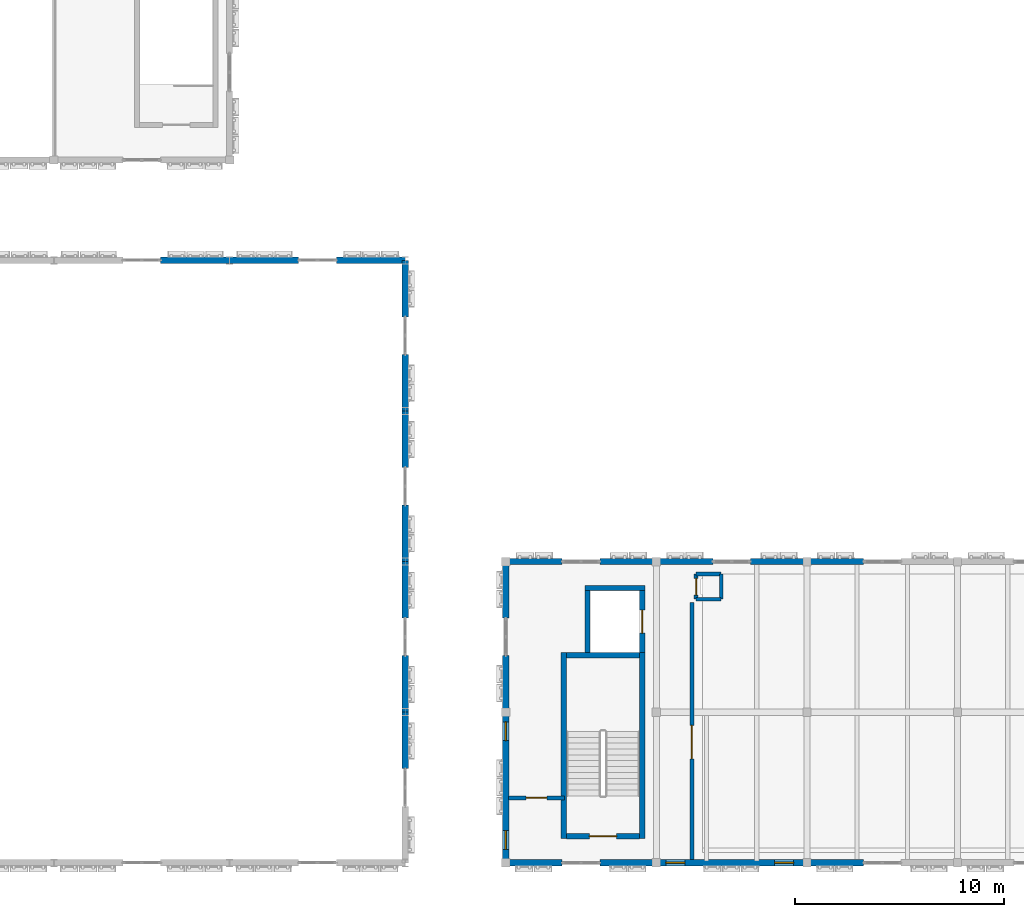
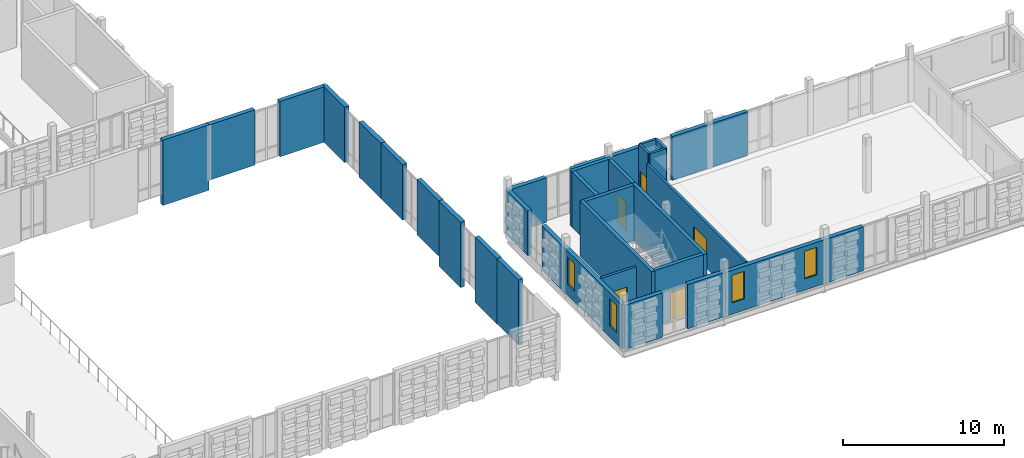
# One storey, part 53 of 81: 35 walls, 5 doors, 4 windows, 9 openings.
"""IFC4 building model written with IfcOpenShell, lengths in metres."""

from ifc_helpers import new_model, si_unit, direction, frame, frame_2d, origin, place, context, subcontext, project, spatial, rectangle, extrude, material, layer, layer_set, type_object, element, fill, save


model = new_model("IFC4")

# Units and contexts
model_context = context("Model", 3, precision=1e-05, world=origin(), true_north=direction((0.0, 1.0)))
body_context = subcontext(model_context, "Body", "Model", "MODEL_VIEW")
ifc_project = project(units=[si_unit("LENGTHUNIT", "METRE"), si_unit("AREAUNIT", "SQUARE_METRE"), si_unit("VOLUMEUNIT", "CUBIC_METRE"), si_unit("PLANEANGLEUNIT", "RADIAN"), si_unit("MASSUNIT", "GRAM", prefix="KILO")], contexts=[model_context])

# Site, building, storey
site_placement = place(None, origin())
site = spatial("IfcSite", under=ifc_project, at=site_placement, CompositionType="ELEMENT")
building_placement = place(site_placement, origin())
building = spatial("IfcBuilding", under=site, at=building_placement, Name="Kahlenmark Community Centre", CompositionType="ELEMENT")
storey_placement = place(building_placement, frame((0.0, 0.0, 9.60009765625)))
storey = spatial("IfcBuildingStorey", under=building, at=storey_placement, Name="L02", CompositionType="ELEMENT", Elevation=9.60009765625)

# Wall, opening, door
ifc_material_1 = material(Name="Concrete C35/45", Category="concrete")
ifc_layer_1 = layer(ifc_material_1, 0.25)
ifc_layer_set_1 = layer_set([ifc_layer_1], Name="Concrete C35/45")
wall_type_1 = type_object("IfcWallType", Name="WT-CORE-250", PredefinedType="SHEAR", material=ifc_layer_set_1)
wall_1_placement = place(storey_placement, frame((53.699951171875, 10.074951171875, 0.0), z_axis=(0.0, 0.0, 1.0), x_axis=(1.0, 0.0, 0.0)))
wall_1 = element("IfcWall", 1, at=wall_1_placement, inside=storey, type_object=wall_type_1, Name="Core K3 shear wall WL-CORE-K3-L02-0085", PredefinedType="SHEAR", context=body_context, shape_type="SweptSolid", body=[
    extrude(rectangle(XDim=3.5, YDim=0.25, at=frame_2d((1.75, 0.0))), origin(), (0.0, 0.0, 1.0), 4.199951171875),
])
opening_1_placement = place(wall_1_placement, frame((1.10009765625, 0.0, -0.010009765625)))
opening_1 = element("IfcOpeningElement", 2, at=opening_1_placement, cuts=wall_1, Name="Opening FD-K3-L02", PredefinedType="OPENING", context=body_context, shape_type="SweptSolid", body=[
    extrude(rectangle(XDim=1.300048828125, YDim=2.159912109375, at=frame_2d((0.64990234375, 1.080078125))), frame((0.0, 0.135009765625, 0.0), z_axis=(0.0, -1.0, 0.0), x_axis=(1.0, 0.0, 0.0)), (0.0, 0.0, 1.0), 0.27001953125),
])
ifc_material_2 = material(Name="Fire-rated steel-framed timber door FD60S", Category="steel")
door_type_1 = type_object("IfcDoorType", Name="DT-FD-K3-L02", OperationType="NOTDEFINED", PredefinedType="DOOR", material=ifc_material_2)
door_1_placement = place(opening_1_placement, frame((0.0, 0.0, 0.010009765625)))
door_1 = element("IfcDoor", 3, at=door_1_placement, inside=storey, type_object=door_type_1, Name="Core K3 stair fire door L02", OperationType="SINGLE_SWING_RIGHT", OverallHeight=2.14990234375, OverallWidth=1.300048828125, PredefinedType="DOOR", context=body_context, shape_type="SweptSolid", body=[
    extrude(rectangle(XDim=1.300048828125, YDim=2.14990234375, at=frame_2d((0.64990234375, 1.074951171875))), frame((0.0, 0.02490234375, 0.0), z_axis=(0.0, -1.0, 0.0), x_axis=(1.0, 0.0, 0.0)), (0.0, 0.0, 1.0), 0.050048828125),
])
fill(opening_1, door_1)

# Walls
wall_2_placement = place(storey_placement, frame((53.574951171875, 9.949951171875, 0.0), z_axis=(0.0, 0.0, 1.0), x_axis=(0.0, 1.0, 0.0)))
element("IfcWall", 4, at=wall_2_placement, inside=storey, type_object=wall_type_1, Name="Core K3 shear wall WL-CORE-K3-L02-0086", PredefinedType="SHEAR", context=body_context, shape_type="SweptSolid", body=[
    extrude(rectangle(XDim=8.900146484375, YDim=0.25, at=frame_2d((4.4501953125, 0.0))), origin(), (0.0, 0.0, 1.0), 4.199951171875),
])
wall_3_placement = place(storey_placement, frame((57.199951171875, 18.72509765625, 0.0), z_axis=(0.0, 0.0, 1.0), x_axis=(-1.0, 0.0, 0.0)))
element("IfcWall", 5, at=wall_3_placement, inside=storey, type_object=wall_type_1, Name="Core K3 shear wall WL-CORE-K3-L02-0087", PredefinedType="SHEAR", context=body_context, shape_type="SweptSolid", body=[
    extrude(rectangle(XDim=3.5, YDim=0.25, at=frame_2d((1.75, 0.0))), origin(), (0.0, 0.0, 1.0), 4.199951171875),
])
wall_4_placement = place(storey_placement, frame((57.324951171875, 9.949951171875, 0.0), z_axis=(0.0, 0.0, 1.0), x_axis=(0.0, 1.0, 0.0)))
element("IfcWall", 6, at=wall_4_placement, inside=storey, type_object=wall_type_1, Name="Core K3 shear wall WL-CORE-K3-L02-0088", PredefinedType="SHEAR", context=body_context, shape_type="SweptSolid", body=[
    extrude(rectangle(XDim=8.900146484375, YDim=0.25, at=frame_2d((4.4501953125, 0.0))), origin(), (0.0, 0.0, 1.0), 4.199951171875),
])
wall_5_placement = place(storey_placement, frame((54.590087890625, 21.93505859375, 0.0), z_axis=(0.0, 0.0, 1.0), x_axis=(1.0, 0.0, 0.0)))
element("IfcWall", 7, at=wall_5_placement, inside=storey, type_object=wall_type_1, Name="Core K3 shear wall WL-CORE-K3-L02-0089", PredefinedType="SHEAR", context=body_context, shape_type="SweptSolid", body=[
    extrude(rectangle(XDim=2.85986328125, YDim=0.25, at=frame_2d((1.429931640625, 0.0))), origin(), (0.0, 0.0, 1.0), 4.199951171875),
])

# Wall, opening, door
wall_6_placement = place(storey_placement, frame((57.324951171875, 18.85009765625, 0.0), z_axis=(0.0, 0.0, 1.0), x_axis=(0.0, 1.0, 0.0)))
wall_6 = element("IfcWall", 8, at=wall_6_placement, inside=storey, type_object=wall_type_1, Name="Core K3 shear wall WL-CORE-K3-L02-0090", PredefinedType="SHEAR", context=body_context, shape_type="SweptSolid", body=[
    extrude(rectangle(XDim=2.9599609375, YDim=0.25, at=frame_2d((1.47998046875, 0.0))), origin(), (0.0, 0.0, 1.0), 4.199951171875),
])
opening_2_placement = place(wall_6_placement, frame((0.929931640625, 0.0, -0.010009765625)))
opening_2 = element("IfcOpeningElement", 9, at=opening_2_placement, cuts=wall_6, Name="Opening LD-3", PredefinedType="OPENING", context=body_context, shape_type="SweptSolid", body=[
    extrude(rectangle(XDim=1.10009765625, YDim=2.159912109375, at=frame_2d((0.550048828125, 1.080078125))), frame((0.0, 0.135009765625, 0.0), z_axis=(0.0, -1.0, 0.0), x_axis=(1.0, 0.0, 0.0)), (0.0, 0.0, 1.0), 0.27001953125),
])
ifc_material_3 = material(Name="Brushed stainless steel sliding lift landing door", Category="steel")
door_type_2 = type_object("IfcDoorType", Name="DT-LD-K3", OperationType="SLIDING_TO_LEFT", PredefinedType="DOOR", material=ifc_material_3)
door_2_placement = place(opening_2_placement, frame((0.0, 0.0, 0.010009765625)))
door_2 = element("IfcDoor", 10, at=door_2_placement, inside=storey, type_object=door_type_2, Name="Lift LF-03 sliding landing door L02", OperationType="SLIDING_TO_LEFT", OverallHeight=2.14990234375, OverallWidth=1.10009765625, PredefinedType="DOOR", context=body_context, shape_type="SweptSolid", body=[
    extrude(rectangle(XDim=1.10009765625, YDim=2.14990234375, at=frame_2d((0.550048828125, 1.074951171875))), frame((0.0, 0.02490234375, 0.0), z_axis=(0.0, -1.0, 0.0), x_axis=(1.0, 0.0, 0.0)), (0.0, 0.0, 1.0), 0.050048828125),
])
fill(opening_2, door_2)

# Walls
wall_7_placement = place(storey_placement, frame((54.715087890625, 18.85009765625, 0.0), z_axis=(0.0, 0.0, 1.0), x_axis=(0.0, 1.0, 0.0)))
element("IfcWall", 11, at=wall_7_placement, inside=storey, type_object=wall_type_1, Name="Core K3 shear wall WL-CORE-K3-L02-0091", PredefinedType="SHEAR", context=body_context, shape_type="SweptSolid", body=[
    extrude(rectangle(XDim=3.2099609375, YDim=0.25, at=frame_2d((1.60498046875, 0.0))), origin(), (0.0, 0.0, 1.0), 4.199951171875),
])
ifc_material_4 = material(Name="Cross-laminated timber CLT C24", Category="wood")
ifc_layer_2 = layer(ifc_material_4, 0.300048828125)
ifc_layer_set_2 = layer_set([ifc_layer_2], Name="Cross-laminated timber CLT C24")
wall_type_2 = type_object("IfcWallType", Name="WT-EW-300", PredefinedType="SOLIDWALL", material=ifc_layer_set_2)
wall_8_placement = place(storey_placement, frame((37.60009765625, 37.60009765625, -0.75), z_axis=(0.0, 0.0, 1.0), x_axis=(-1.0, 0.0, 0.0)))
element("IfcWall", 12, at=wall_8_placement, inside=storey, type_object=wall_type_2, Name="Basketweave backup wall WL-EXT-L02-0426", PredefinedType="SOLIDWALL", context=body_context, shape_type="SweptSolid", body=[
    extrude(rectangle(XDim=3.300048828125, YDim=0.300048828125, at=frame_2d((1.64990234375, 0.0))), origin(), (0.0, 0.0, 1.0), 4.949951171875),
])
wall_9_placement = place(storey_placement, frame((46.0, 37.60009765625, 0.0), z_axis=(0.0, 0.0, 1.0), x_axis=(-1.0, 0.0, 0.0)))
element("IfcWall", 13, at=wall_9_placement, inside=storey, type_object=wall_type_2, Name="Basketweave backup wall WL-EXT-L02-0428", PredefinedType="SOLIDWALL", context=body_context, shape_type="SweptSolid", body=[
    extrude(rectangle(XDim=3.300048828125, YDim=0.300048828125, at=frame_2d((1.64990234375, 0.0))), origin(), (0.0, 0.0, 1.0), 4.199951171875),
])
wall_10_placement = place(storey_placement, frame((40.89990234375, 37.60009765625, 0.0), z_axis=(0.0, 0.0, 1.0), x_axis=(-1.0, 0.0, 0.0)))
element("IfcWall", 14, at=wall_10_placement, inside=storey, type_object=wall_type_2, Name="Basketweave backup wall WL-EXT-L02-0429", PredefinedType="SOLIDWALL", context=body_context, shape_type="SweptSolid", body=[
    extrude(rectangle(XDim=3.2998046875, YDim=0.300048828125, at=frame_2d((1.64990234375, 0.0))), origin(), (0.0, 0.0, 1.0), 4.199951171875),
])
for number, where, z_axis, x_axis, name in (
    (15, (46.0, 13.300048828125, -0.75), (0.0, 0.0, 1.0), (0.0, 1.0, 0.0), "Basketweave backup wall WL-EXT-L02-0435"),
    (16, (46.0, 16.0, -0.75), (0.0, 0.0, 1.0), (0.0, 1.0, 0.0), "Basketweave backup wall WL-EXT-L02-0436"),
    (17, (46.0, 20.5, -0.75), (0.0, 0.0, 1.0), (0.0, 1.0, 0.0), "Basketweave backup wall WL-EXT-L02-0437"),
):
    element("IfcWall", number, at=place(storey_placement, frame(where, z_axis=z_axis, x_axis=x_axis)), inside=storey, type_object=wall_type_2, Name=name, PredefinedType="SOLIDWALL", context=body_context, shape_type="SweptSolid", body=[
        extrude(rectangle(XDim=2.699951171875, YDim=0.300048828125, at=frame_2d((1.35009765625, 0.0))), origin(), (0.0, 0.0, 1.0), 4.949951171875),
    ])
for number, where, z_axis, x_axis, name in (
    (18, (46.0, 23.199951171875, 0.0), (0.0, 0.0, 1.0), (0.0, 1.0, 0.0), "Basketweave backup wall WL-EXT-L02-0438"),
    (19, (46.0, 27.699951171875, 0.0), (0.0, 0.0, 1.0), (0.0, 1.0, 0.0), "Basketweave backup wall WL-EXT-L02-0439"),
):
    element("IfcWall", number, at=place(storey_placement, frame(where, z_axis=z_axis, x_axis=x_axis)), inside=storey, type_object=wall_type_2, Name=name, PredefinedType="SOLIDWALL", context=body_context, shape_type="SweptSolid", body=[
        extrude(rectangle(XDim=2.699951171875, YDim=0.300048828125, at=frame_2d((1.35009765625, 0.0))), origin(), (0.0, 0.0, 1.0), 4.199951171875),
    ])
for number, where, z_axis, x_axis, name in (
    (20, (46.0, 30.39990234375, 0.0), (0.0, 0.0, 1.0), (0.0, 1.0, 0.0), "Basketweave backup wall WL-EXT-L02-0440"),
    (21, (46.0, 34.89990234375, 0.0), (0.0, 0.0, 1.0), (0.0, 1.0, 0.0), "Basketweave backup wall WL-EXT-L02-0441"),
):
    element("IfcWall", number, at=place(storey_placement, frame(where, z_axis=z_axis, x_axis=x_axis)), inside=storey, type_object=wall_type_2, Name=name, PredefinedType="SOLIDWALL", context=body_context, shape_type="SweptSolid", body=[
        extrude(rectangle(XDim=2.7001953125, YDim=0.300048828125, at=frame_2d((1.35009765625, 0.0))), origin(), (0.0, 0.0, 1.0), 4.199951171875),
    ])
for number, where, z_axis, x_axis, name in (
    (22, (50.800048828125, 8.800048828125, 0.0), (0.0, 0.0, 1.0), (1.0, 0.0, 0.0), "Basketweave backup wall WL-EXT-L02-0468"),
    (23, (55.300048828125, 8.800048828125, 0.0), (0.0, 0.0, 1.0), (1.0, 0.0, 0.0), "Basketweave backup wall WL-EXT-L02-0469"),
):
    element("IfcWall", number, at=place(storey_placement, frame(where, z_axis=z_axis, x_axis=x_axis)), inside=storey, type_object=wall_type_2, Name=name, PredefinedType="SOLIDWALL", context=body_context, shape_type="SweptSolid", body=[
        extrude(rectangle(XDim=2.699951171875, YDim=0.300048828125, at=frame_2d((1.35009765625, 0.0))), origin(), (0.0, 0.0, 1.0), 3.369873046875),
    ])

# Wall, openings, windows
wall_11_placement = place(storey_placement, frame((58.0, 8.800048828125, 0.0), z_axis=(0.0, 0.0, 1.0), x_axis=(1.0, 0.0, 0.0)))
wall_11 = element("IfcWall", 24, at=wall_11_placement, inside=storey, type_object=wall_type_2, Name="Exterior wall WL-EXT-L02-0470", PredefinedType="SOLIDWALL", context=body_context, shape_type="SweptSolid", body=[
    extrude(rectangle(XDim=7.199951171875, YDim=0.300048828125, at=frame_2d((3.60009765625, 0.0))), origin(), (0.0, 0.0, 1.0), 3.329833984375),
])
opening_3_placement = place(wall_11_placement, frame((0.4599609375, 0.0, 0.85009765625)))
opening_3 = element("IfcOpeningElement", 25, at=opening_3_placement, cuts=wall_11, Name="Opening W-090X210", PredefinedType="OPENING", context=body_context, shape_type="SweptSolid", body=[
    extrude(rectangle(XDim=0.89990234375, YDim=2.10009765625, at=frame_2d((0.449951171875, 1.050048828125))), frame((0.0, 0.159912109375, 0.0), z_axis=(0.0, -1.0, 0.0), x_axis=(1.0, 0.0, 0.0)), (0.0, 0.0, 1.0), 0.320068359375),
])
opening_4_placement = place(wall_11_placement, frame((5.659912109375, 0.0, 0.85009765625)))
opening_4 = element("IfcOpeningElement", 26, at=opening_4_placement, cuts=wall_11, Name="Opening W-090X210", PredefinedType="OPENING", context=body_context, shape_type="SweptSolid", body=[
    extrude(rectangle(XDim=0.89990234375, YDim=2.10009765625, at=frame_2d((0.449951171875, 1.050048828125))), frame((0.0, 0.159912109375, 0.0), z_axis=(0.0, -1.0, 0.0), x_axis=(1.0, 0.0, 0.0)), (0.0, 0.0, 1.0), 0.320068359375),
])
ifc_material_5 = material(Name="Recessed basketweave aperture triple glazing", Category="glass")
window_type = type_object("IfcWindowType", Name="WNT-090X210", PartitioningType="SINGLE_PANEL", PredefinedType="WINDOW", material=ifc_material_5)
window_1_placement = place(opening_3_placement, origin())
window_1 = element("IfcWindow", 27, at=window_1_placement, inside=storey, type_object=window_type, Name="Window W-090X210 #0275", OverallHeight=2.10009765625, OverallWidth=0.89990234375, PartitioningType="SINGLE_PANEL", PredefinedType="WINDOW", context=body_context, shape_type="SweptSolid", body=[
    extrude(rectangle(XDim=0.89990234375, YDim=2.10009765625, at=frame_2d((0.449951171875, 1.050048828125))), frame((0.0, 0.030029296875, 0.0), z_axis=(0.0, -1.0, 0.0), x_axis=(1.0, 0.0, 0.0)), (0.0, 0.0, 1.0), 0.06005859375),
])
fill(opening_3, window_1)
window_2_placement = place(opening_4_placement, origin())
window_2 = element("IfcWindow", 28, at=window_2_placement, inside=storey, type_object=window_type, Name="Window W-090X210 #0276", OverallHeight=2.10009765625, OverallWidth=0.89990234375, PartitioningType="SINGLE_PANEL", PredefinedType="WINDOW", context=body_context, shape_type="SweptSolid", body=[
    extrude(rectangle(XDim=0.89990234375, YDim=2.10009765625, at=frame_2d((0.449951171875, 1.050048828125))), frame((0.0, 0.030029296875, 0.0), z_axis=(0.0, -1.0, 0.0), x_axis=(1.0, 0.0, 0.0)), (0.0, 0.0, 1.0), 0.06005859375),
])
fill(opening_4, window_2)

# Walls
wall_12_placement = place(storey_placement, frame((65.199951171875, 8.800048828125, 0.0), z_axis=(0.0, 0.0, 1.0), x_axis=(1.0, 0.0, 0.0)))
element("IfcWall", 29, at=wall_12_placement, inside=storey, type_object=wall_type_2, Name="Basketweave backup wall WL-EXT-L02-0471", PredefinedType="SOLIDWALL", context=body_context, shape_type="SweptSolid", body=[
    extrude(rectangle(XDim=2.699951171875, YDim=0.300048828125, at=frame_2d((1.35009765625, 0.0))), origin(), (0.0, 0.0, 1.0), 3.329833984375),
])
for number, where, z_axis, x_axis, name in (
    (30, (58.0, 23.199951171875, 0.0), (0.0, 0.0, 1.0), (-1.0, 0.0, 0.0), "Basketweave backup wall WL-EXT-L02-0476"),
    (31, (53.5, 23.199951171875, 0.0), (0.0, 0.0, 1.0), (-1.0, 0.0, 0.0), "Basketweave backup wall WL-EXT-L02-0477"),
):
    element("IfcWall", number, at=place(storey_placement, frame(where, z_axis=z_axis, x_axis=x_axis)), inside=storey, type_object=wall_type_2, Name=name, PredefinedType="SOLIDWALL", context=body_context, shape_type="SweptSolid", body=[
        extrude(rectangle(XDim=2.699951171875, YDim=0.300048828125, at=frame_2d((1.35009765625, 0.0))), origin(), (0.0, 0.0, 1.0), 3.369873046875),
    ])
for number, where, z_axis, x_axis, name in (
    (32, (65.199951171875, 23.199951171875, 0.0), (0.0, 0.0, 1.0), (-1.0, 0.0, 0.0), "Basketweave backup wall WL-EXT-L02-0478"),
    (33, (60.699951171875, 23.199951171875, 0.0), (0.0, 0.0, 1.0), (-1.0, 0.0, 0.0), "Basketweave backup wall WL-EXT-L02-0479"),
    (34, (67.89990234375, 23.199951171875, 0.0), (0.0, 0.0, 1.0), (-1.0, 0.0, 0.0), "Basketweave backup wall WL-EXT-L02-0481"),
):
    element("IfcWall", number, at=place(storey_placement, frame(where, z_axis=z_axis, x_axis=x_axis)), inside=storey, type_object=wall_type_2, Name=name, PredefinedType="SOLIDWALL", context=body_context, shape_type="SweptSolid", body=[
        extrude(rectangle(XDim=2.699951171875, YDim=0.300048828125, at=frame_2d((1.35009765625, 0.0))), origin(), (0.0, 0.0, 1.0), 3.329833984375),
    ])

# Wall, openings, windows
wall_13_placement = place(storey_placement, frame((50.800048828125, 16.0, 0.0), z_axis=(0.0, 0.0, 1.0), x_axis=(0.0, -1.0, 0.0)))
wall_13 = element("IfcWall", 35, at=wall_13_placement, inside=storey, type_object=wall_type_2, Name="Exterior wall WL-EXT-L02-0485", PredefinedType="SOLIDWALL", context=body_context, shape_type="SweptSolid", body=[
    extrude(rectangle(XDim=7.199951171875, YDim=0.300048828125, at=frame_2d((3.60009765625, 0.0))), origin(), (0.0, 0.0, 1.0), 3.369873046875),
])
opening_5_placement = place(wall_13_placement, frame((0.4599609375, 0.0, 0.85009765625)))
opening_5 = element("IfcOpeningElement", 36, at=opening_5_placement, cuts=wall_13, Name="Opening W-090X210", PredefinedType="OPENING", context=body_context, shape_type="SweptSolid", body=[
    extrude(rectangle(XDim=0.89990234375, YDim=2.10009765625, at=frame_2d((0.449951171875, 1.050048828125))), frame((0.0, 0.159912109375, 0.0), z_axis=(0.0, -1.0, 0.0), x_axis=(1.0, 0.0, 0.0)), (0.0, 0.0, 1.0), 0.320068359375),
])
opening_6_placement = place(wall_13_placement, frame((5.659912109375, 0.0, 0.85009765625)))
opening_6 = element("IfcOpeningElement", 37, at=opening_6_placement, cuts=wall_13, Name="Opening W-090X210", PredefinedType="OPENING", context=body_context, shape_type="SweptSolid", body=[
    extrude(rectangle(XDim=0.89990234375, YDim=2.10009765625, at=frame_2d((0.449951171875, 1.050048828125))), frame((0.0, 0.159912109375, 0.0), z_axis=(0.0, -1.0, 0.0), x_axis=(1.0, 0.0, 0.0)), (0.0, 0.0, 1.0), 0.320068359375),
])
window_3_placement = place(opening_5_placement, origin())
window_3 = element("IfcWindow", 38, at=window_3_placement, inside=storey, type_object=window_type, Name="Window W-090X210 #0281", OverallHeight=2.10009765625, OverallWidth=0.89990234375, PartitioningType="SINGLE_PANEL", PredefinedType="WINDOW", context=body_context, shape_type="SweptSolid", body=[
    extrude(rectangle(XDim=0.89990234375, YDim=2.10009765625, at=frame_2d((0.449951171875, 1.050048828125))), frame((0.0, 0.030029296875, 0.0), z_axis=(0.0, -1.0, 0.0), x_axis=(1.0, 0.0, 0.0)), (0.0, 0.0, 1.0), 0.06005859375),
])
fill(opening_5, window_3)
window_4_placement = place(opening_6_placement, origin())
window_4 = element("IfcWindow", 39, at=window_4_placement, inside=storey, type_object=window_type, Name="Window W-090X210 #0282", OverallHeight=2.10009765625, OverallWidth=0.89990234375, PartitioningType="SINGLE_PANEL", PredefinedType="WINDOW", context=body_context, shape_type="SweptSolid", body=[
    extrude(rectangle(XDim=0.89990234375, YDim=2.10009765625, at=frame_2d((0.449951171875, 1.050048828125))), frame((0.0, 0.030029296875, 0.0), z_axis=(0.0, -1.0, 0.0), x_axis=(1.0, 0.0, 0.0)), (0.0, 0.0, 1.0), 0.06005859375),
])
fill(opening_6, window_4)

# Walls
for number, where, z_axis, x_axis, name in (
    (40, (50.800048828125, 23.199951171875, 0.0), (0.0, 0.0, 1.0), (0.0, -1.0, 0.0), "Basketweave backup wall WL-EXT-L02-0486"),
    (41, (50.800048828125, 18.699951171875, 0.0), (0.0, 0.0, 1.0), (0.0, -1.0, 0.0), "Basketweave backup wall WL-EXT-L02-0487"),
):
    element("IfcWall", number, at=place(storey_placement, frame(where, z_axis=z_axis, x_axis=x_axis)), inside=storey, type_object=wall_type_2, Name=name, PredefinedType="SOLIDWALL", context=body_context, shape_type="SweptSolid", body=[
        extrude(rectangle(XDim=2.699951171875, YDim=0.300048828125, at=frame_2d((1.35009765625, 0.0))), origin(), (0.0, 0.0, 1.0), 3.369873046875),
    ])

# Wall, opening, door
ifc_material_6 = material(Name="Gypsum plasterboard partition", Category="gypsum")
ifc_layer_3 = layer(ifc_material_6, 0.179931640625)
ifc_layer_set_3 = layer_set([ifc_layer_3], Name="Gypsum plasterboard partition")
wall_type_3 = type_object("IfcWallType", Name="WT-PW-180", PredefinedType="PARTITIONING", material=ifc_layer_set_3)
wall_14_placement = place(storey_placement, frame((50.93994140625, 11.89990234375, 0.0), z_axis=(0.0, 0.0, 1.0), x_axis=(1.0, 0.0, 0.0)))
wall_14 = element("IfcWall", 42, at=wall_14_placement, inside=storey, type_object=wall_type_3, Name="Interior partition WL-INT-L02-0172", PredefinedType="PARTITIONING", context=body_context, shape_type="SweptSolid", body=[
    extrude(rectangle(XDim=2.66015625, YDim=0.179931640625, at=frame_2d((1.330078125, 0.0))), origin(), (0.0, 0.0, 1.0), 3.449951171875),
])
opening_7_placement = place(wall_14_placement, frame((0.830078125, 0.0, -0.010009765625)))
opening_7 = element("IfcOpeningElement", 43, at=opening_7_placement, cuts=wall_14, Name="Opening D-L02-100", PredefinedType="OPENING", context=body_context, shape_type="SweptSolid", body=[
    extrude(rectangle(XDim=1.0, YDim=2.159912109375, at=frame_2d((0.5, 1.080078125))), frame((0.0, 0.099853515625, 0.0), z_axis=(0.0, -1.0, 0.0), x_axis=(1.0, 0.0, 0.0)), (0.0, 0.0, 1.0), 0.199951171875),
])
ifc_material_7 = material(Name="Oak timber veneer door leaf", Category="wood")
door_type_3 = type_object("IfcDoorType", Name="DT-INT-100X215", OperationType="NOTDEFINED", PredefinedType="DOOR", material=ifc_material_7)
door_3_placement = place(opening_7_placement, frame((0.0, 0.0, 0.010009765625)))
door_3 = element("IfcDoor", 44, at=door_3_placement, inside=storey, type_object=door_type_3, Name="Interior door D-L02-100", OperationType="SINGLE_SWING_LEFT", OverallHeight=2.14990234375, OverallWidth=1.0, PredefinedType="DOOR", context=body_context, shape_type="SweptSolid", body=[
    extrude(rectangle(XDim=1.0, YDim=2.14990234375, at=frame_2d((0.5, 1.074951171875))), frame((0.0, 0.02490234375, 0.0), z_axis=(0.0, -1.0, 0.0), x_axis=(1.0, 0.0, 0.0)), (0.0, 0.0, 1.0), 0.050048828125),
])
fill(opening_7, door_3)

wall_15_placement = place(storey_placement, frame((59.699951171875, 8.9599609375, 0.0), z_axis=(0.0, 0.0, 1.0), x_axis=(0.0, 1.0, 0.0)))
wall_15 = element("IfcWall", 45, at=wall_15_placement, inside=storey, type_object=wall_type_3, Name="Interior partition WL-INT-L02-0173", PredefinedType="PARTITIONING", context=body_context, shape_type="SweptSolid", body=[
    extrude(rectangle(XDim=12.2900390625, YDim=0.179931640625, at=frame_2d((6.14501953125, 0.0))), origin(), (0.0, 0.0, 1.0), 3.369873046875),
])
opening_8_placement = place(wall_15_placement, frame((4.81103515625, 0.0, -0.010009765625)))
opening_8 = element("IfcOpeningElement", 46, at=opening_8_placement, cuts=wall_15, Name="Opening D-L02-101", PredefinedType="OPENING", context=body_context, shape_type="SweptSolid", body=[
    extrude(rectangle(XDim=1.60009765625, YDim=2.2099609375, at=frame_2d((0.800048828125, 1.10498046875))), frame((0.0, 0.099853515625, 0.0), z_axis=(0.0, -1.0, 0.0), x_axis=(1.0, 0.0, 0.0)), (0.0, 0.0, 1.0), 0.199951171875),
])
ifc_material_8 = material(Name="Oak double-leaf acoustic door")
door_type_4 = type_object("IfcDoorType", Name="DT-DBL-160X220", OperationType="NOTDEFINED", PredefinedType="DOOR", material=ifc_material_8)
door_4_placement = place(opening_8_placement, frame((0.0, 0.0, 0.010009765625)))
door_4 = element("IfcDoor", 47, at=door_4_placement, inside=storey, type_object=door_type_4, Name="Interior door D-L02-101", OperationType="DOUBLE_SWING_LEFT", OverallHeight=2.199951171875, OverallWidth=1.60009765625, PredefinedType="DOOR", context=body_context, shape_type="SweptSolid", body=[
    extrude(rectangle(XDim=1.60009765625, YDim=2.199951171875, at=frame_2d((0.800048828125, 1.10009765625))), frame((0.0, 0.02490234375, 0.0), z_axis=(0.0, -1.0, 0.0), x_axis=(1.0, 0.0, 0.0)), (0.0, 0.0, 1.0), 0.050048828125),
])
fill(opening_8, door_4)

# Walls
ifc_material_9 = material(Name="Masonry blockwork", Category="masonry")
ifc_layer_4 = layer(ifc_material_9, 0.179931640625)
ifc_layer_set_4 = layer_set([ifc_layer_4], Name="Masonry blockwork")
wall_type_4 = type_object("IfcWallType", Name="WT-RISER-180", PredefinedType="SOLIDWALL", material=ifc_layer_set_4)
for number, where, z_axis, x_axis, name in (
    (48, (59.89990234375, 21.39990234375, 0.0), (0.0, 0.0, 1.0), (1.0, 0.0, 0.0), "Riser RS-03 shaft wall L02.1"),
    (49, (61.10009765625, 21.39990234375, 0.0), (0.0, 0.0, 1.0), (0.0, 1.0, 0.0), "Riser RS-03 shaft wall L02.2"),
    (50, (61.10009765625, 22.60009765625, 0.0), (0.0, 0.0, 1.0), (-1.0, 0.0, 0.0), "Riser RS-03 shaft wall L02.3"),
):
    element("IfcWall", number, at=place(storey_placement, frame(where, z_axis=z_axis, x_axis=x_axis)), inside=storey, type_object=wall_type_4, Name=name, PredefinedType="SOLIDWALL", context=body_context, shape_type="SweptSolid", body=[
        extrude(rectangle(XDim=1.2001953125, YDim=0.179931640625, at=frame_2d((0.60009765625, 0.0))), origin(), (0.0, 0.0, 1.0), 3.969970703125),
    ])

# Wall, opening, door
wall_16_placement = place(storey_placement, frame((59.89990234375, 22.60009765625, 0.0), z_axis=(0.0, 0.0, 1.0), x_axis=(0.0, -1.0, 0.0)))
wall_16 = element("IfcWall", 51, at=wall_16_placement, inside=storey, type_object=wall_type_4, Name="Riser RS-03 shaft wall L02.4", PredefinedType="SOLIDWALL", context=body_context, shape_type="SweptSolid", body=[
    extrude(rectangle(XDim=1.2001953125, YDim=0.179931640625, at=frame_2d((0.60009765625, 0.0))), origin(), (0.0, 0.0, 1.0), 3.969970703125),
])
opening_9_placement = place(wall_16_placement, frame((0.199951171875, 0.0, -0.010009765625)))
opening_9 = element("IfcOpeningElement", 52, at=opening_9_placement, cuts=wall_16, Name="Opening FD-RS80", PredefinedType="OPENING", context=body_context, shape_type="SweptSolid", body=[
    extrude(rectangle(XDim=0.800048828125, YDim=2.06005859375, at=frame_2d((0.39990234375, 1.030029296875))), frame((0.0, 0.099853515625, 0.0), z_axis=(0.0, -1.0, 0.0), x_axis=(1.0, 0.0, 0.0)), (0.0, 0.0, 1.0), 0.199951171875),
])
ifc_material_10 = material(Name="Fire-rated steel service riser door FD60S", Category="steel")
door_type_5 = type_object("IfcDoorType", Name="DT-RISER-80X205", OperationType="NOTDEFINED", PredefinedType="DOOR", material=ifc_material_10)
door_5_placement = place(opening_9_placement, frame((0.0, 0.0, 0.010009765625)))
door_5 = element("IfcDoor", 53, at=door_5_placement, inside=storey, type_object=door_type_5, Name="Riser RS-03 access door L02", OperationType="SINGLE_SWING_RIGHT", OverallHeight=2.050048828125, OverallWidth=0.800048828125, PredefinedType="DOOR", context=body_context, shape_type="SweptSolid", body=[
    extrude(rectangle(XDim=0.800048828125, YDim=2.050048828125, at=frame_2d((0.39990234375, 1.02490234375))), frame((0.0, 0.02490234375, 0.0), z_axis=(0.0, -1.0, 0.0), x_axis=(1.0, 0.0, 0.0)), (0.0, 0.0, 1.0), 0.050048828125),
])
fill(opening_9, door_5)

save(model, "model.ifc")
